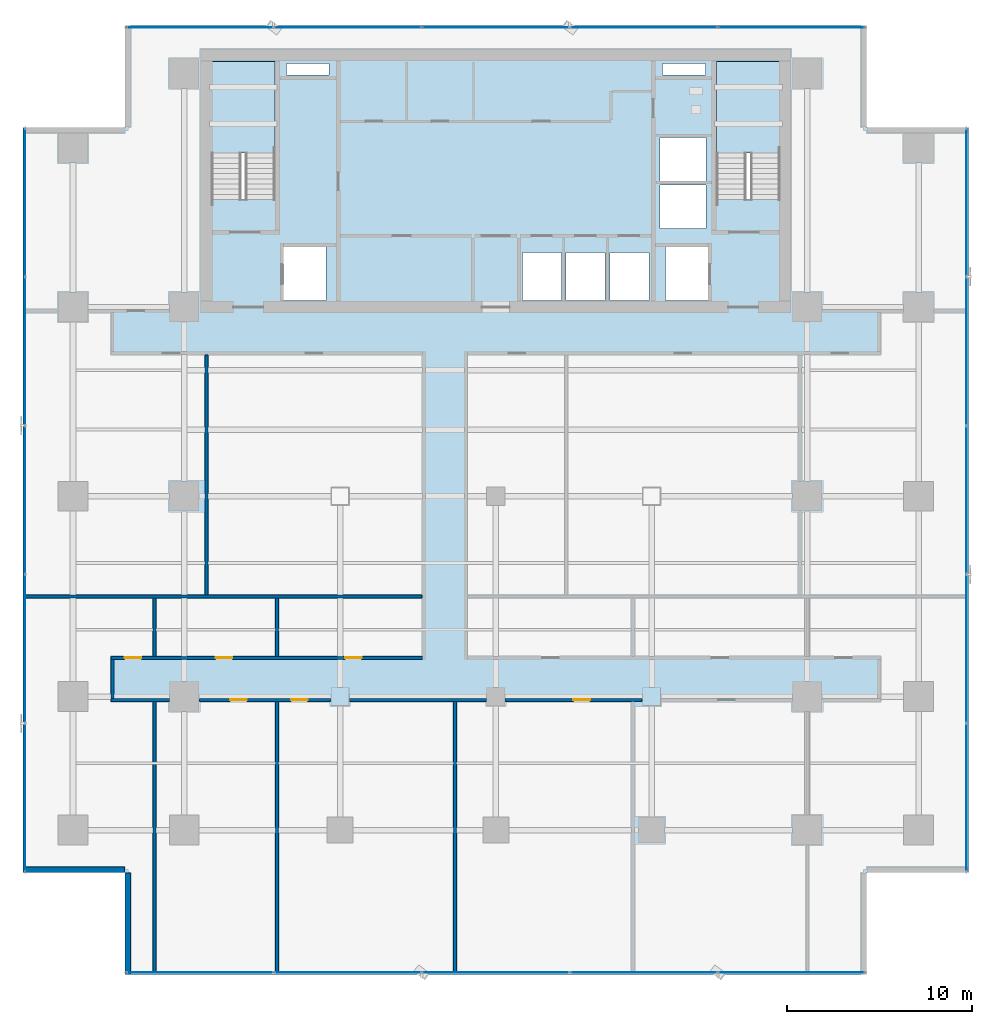
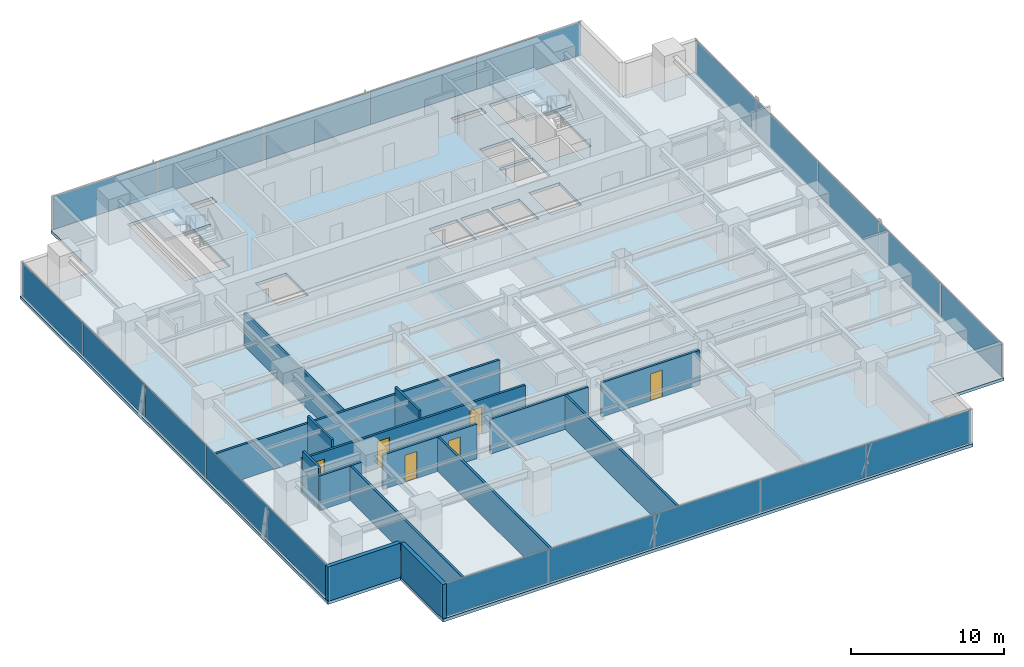
# One storey, part 25 of 35: 20 plates, 15 walls, 6 doors, 3 slabs, 6 openings, 6 elements without a shape of their own.
"""IFC4 building model written with IfcOpenShell, lengths in metres."""

from ifc_helpers import new_model, si_unit, direction, frame, frame_2d, origin, origin_2d, place, context, subcontext, project, spatial, polyline, rectangle, outline, extrude, source, transform, mapped, material, layer, layer_set, type_object, element, fill, aggregate, save


model = new_model("IFC4")

# Units and contexts
model_context = context("Model", 3, precision=1e-05, world=origin(), true_north=direction((0.0, 1.0)))
body_context = subcontext(model_context, "Body", "Model", "MODEL_VIEW")
ifc_project = project(units=[si_unit("LENGTHUNIT", "METRE"), si_unit("AREAUNIT", "SQUARE_METRE"), si_unit("VOLUMEUNIT", "CUBIC_METRE"), si_unit("PLANEANGLEUNIT", "RADIAN"), si_unit("MASSUNIT", "GRAM", prefix="KILO")], contexts=[model_context])

# Site, building, storey
site_placement = place(None, origin())
site = spatial("IfcSite", under=ifc_project, at=site_placement, CompositionType="ELEMENT")
building_placement = place(site_placement, origin())
building = spatial("IfcBuilding", under=site, at=building_placement, Name="Sumidabori Civic Tower", CompositionType="ELEMENT")
storey_placement = place(building_placement, frame((0.0, 0.0, 102.800048828125)))
storey = spatial("IfcBuildingStorey", under=building, at=storey_placement, Name="L26", CompositionType="ELEMENT", Elevation=102.800048828125)

# Stair, slab
ifc_material_1 = material(Name="Concrete C40/50", Category="concrete")
stair_type = type_object("IfcStairType", Name="ST-CORE-1600", PredefinedType="HALF_TURN_STAIR", material=ifc_material_1)
stair_1_placement = place(storey_placement, origin())
stair_1 = element("IfcStair", 1, at=stair_1_placement, inside=storey, type_object=stair_type, Name="L26 ST-1", PredefinedType="HALF_TURN_STAIR")
ifc_layer_1 = layer(ifc_material_1, 0.199951171875, Name="Concrete C40/50")
ifc_layer_set_1 = layer_set([ifc_layer_1], Name="Concrete C40/50")
slab_type_1 = type_object("IfcSlabType", Name="SL-LAND-200", PredefinedType="LANDING", material=ifc_layer_set_1)
slab_1_placement = place(storey_placement, frame((0.0, 0.0, 1.599853515625)))
slab_1 = element("IfcSlab", 2, at=slab_1_placement, type_object=slab_type_1, Name="ST-1 landing 1", PredefinedType="LANDING", context=body_context, shape_type="SweptSolid", body=[
    extrude(outline(polyline([(-11.89990234375, 18.52001953125), (-11.89990234375, 23.449951171875), (-15.340087890625, 23.449951171875), (-15.340087890625, 18.52001953125), (-11.89990234375, 18.52001953125)])), origin(), (0.0, 0.0, 1.0), 0.2001953125),
])
aggregate(stair_1, [slab_1])

stair_2_placement = place(storey_placement, origin())
stair_2 = element("IfcStair", 3, at=stair_2_placement, inside=storey, type_object=stair_type, Name="L26 ST-2", PredefinedType="HALF_TURN_STAIR")
slab_2_placement = place(storey_placement, frame((0.0, 0.0, 1.599853515625)))
slab_2 = element("IfcSlab", 4, at=slab_2_placement, type_object=slab_type_1, Name="ST-2 landing 1", PredefinedType="LANDING", context=body_context, shape_type="SweptSolid", body=[
    extrude(outline(polyline([(15.340087890625, 18.52001953125), (15.340087890625, 23.449951171875), (11.89990234375, 23.449951171875), (11.89990234375, 18.52001953125), (15.340087890625, 18.52001953125)])), origin(), (0.0, 0.0, 1.0), 0.2001953125),
])
aggregate(stair_2, [slab_2])

# Slab
ifc_layer_2 = layer(ifc_material_1, 0.239990234375, Name="Concrete C40/50")
ifc_layer_set_2 = layer_set([ifc_layer_2], Name="Concrete C40/50")
slab_type_2 = type_object("IfcSlabType", Name="SL-Z1-240", PredefinedType="FLOOR", material=ifc_layer_set_2)
slab_3_placement = place(storey_placement, frame((0.0, 0.0, -0.239990234375)))
element("IfcSlab", 5, at=slab_3_placement, inside=storey, type_object=slab_type_2, Name="Structural Slab L26", PredefinedType="FLOOR", context=body_context, shape_type="SweptSolid", body=[
    extrude(outline(polyline([(-20.0, -25.800048828125), (20.0, -25.800048828125), (20.0, -20.300048828125), (25.5, -20.300048828125), (25.5, 19.89990234375), (20.0, 19.89990234375), (20.0, 25.39990234375), (-20.0, 25.39990234375), (-20.0, 19.89990234375), (-25.5, 19.89990234375), (-25.5, -20.300048828125), (-20.0, -20.300048828125), (-20.0, -25.800048828125)]), holes=[polyline([(-11.89990234375, 16.0), (-11.89990234375, 23.449951171875), (-15.340087890625, 23.449951171875), (-15.340087890625, 16.0), (-11.89990234375, 16.0)]), polyline([(15.340087890625, 16.0), (15.340087890625, 23.449951171875), (11.89990234375, 23.449951171875), (11.89990234375, 16.0), (15.340087890625, 16.0)]), polyline([(-11.449951171875, 10.550048828125), (-9.14990234375, 10.550048828125), (-9.14990234375, 13.449951171875), (-11.449951171875, 13.449951171875), (-11.449951171875, 10.550048828125)]), polyline([(9.14990234375, 10.550048828125), (11.449951171875, 10.550048828125), (11.449951171875, 13.449951171875), (9.14990234375, 13.449951171875), (9.14990234375, 10.550048828125)]), polyline([(1.449951171875, 10.550048828125), (3.550048828125, 10.550048828125), (3.550048828125, 13.14990234375), (1.449951171875, 13.14990234375), (1.449951171875, 10.550048828125)]), polyline([(3.800048828125, 10.550048828125), (5.89990234375, 10.550048828125), (5.89990234375, 13.14990234375), (3.800048828125, 13.14990234375), (3.800048828125, 10.550048828125)]), polyline([(6.14990234375, 10.550048828125), (8.25, 10.550048828125), (8.25, 13.14990234375), (6.14990234375, 13.14990234375), (6.14990234375, 10.550048828125)]), polyline([(8.85009765625, 14.449951171875), (11.35009765625, 14.449951171875), (11.35009765625, 16.800048828125), (8.85009765625, 16.800048828125), (8.85009765625, 14.449951171875)]), polyline([(8.85009765625, 17.0), (11.35009765625, 17.0), (11.35009765625, 19.35009765625), (8.85009765625, 19.35009765625), (8.85009765625, 17.0)]), polyline([(-11.300048828125, 22.719970703125), (-9.0, 22.719970703125), (-9.0, 23.35009765625), (-11.300048828125, 23.35009765625), (-11.300048828125, 22.719970703125)]), polyline([(9.0, 22.719970703125), (11.300048828125, 22.719970703125), (11.300048828125, 23.35009765625), (9.0, 23.35009765625), (9.0, 22.719970703125)])]), origin(), (0.0, 0.0, 1.0), 0.239990234375),
])

# Curtain wall, plates
ifc_material_2 = material(Name="Anodised Bronze Aluminium AW-6063-T6", Category="aluminium")
ifc_layer_3 = layer(ifc_material_2, 0.179931640625, Name="Anodised Bronze Aluminium AW-6063-T6")
ifc_layer_set_3 = layer_set([ifc_layer_3], Name="Anodised Bronze Aluminium AW-6063-T6")
curtain_wall_type = type_object("IfcCurtainWallType", Name="CW-SYS-3", PredefinedType="NOTDEFINED", material=ifc_layer_set_3)
curtain_wall_1_placement = place(storey_placement, origin())
curtain_wall_1 = element("IfcCurtainWall", 6, at=curtain_wall_1_placement, inside=storey, type_object=curtain_wall_type, Name="Curtain Wall CW:L26:R01", PredefinedType="NOTDEFINED")
ifc_material_3 = material(Name="Low-E Solar-Control Vision Glazing", Category="glass")
ifc_layer_4 = layer(ifc_material_3, 0.028076171875, Name="Low-E Solar-Control Vision Glazing")
ifc_layer_set_4 = layer_set([ifc_layer_4], Name="Low-E Solar-Control Vision Glazing")
plate_type = type_object("IfcPlateType", Name="CW-PNL-28", PredefinedType="CURTAIN_PANEL", material=ifc_layer_set_4)
shared_shape_1 = source(origin(), body_context, "Body", "SweptSolid", [
    extrude(rectangle(XDim=7.890380859375, YDim=0.028076171875, at=origin_2d()), origin(), (0.0, 0.0, 1.0), 2.6201171875),
])
plate_1_placement = place(storey_placement, frame((-15.959716796875, -25.679931640625, 0.059814453125), z_axis=(0.0, 0.0, 1.0), x_axis=(1.0, 0.0, 0.0)))
plate_1 = element("IfcPlate", 7, at=plate_1_placement, type_object=plate_type, Name="CW-3 panel 1.1", PredefinedType="CURTAIN_PANEL", context=body_context, shape_type="MappedRepresentation", body=[
    mapped(shared_shape_1, transform((0.0, 0.0, 0.0), x_axis=(1.0, 0.0, 0.0), y_axis=(0.0, 1.0, 0.0), z_axis=(0.0, 0.0, 1.0), scale=1.0)),
])
plate_2_placement = place(storey_placement, frame((15.959716796875, -25.679931640625, 0.059814453125), z_axis=(0.0, 0.0, 1.0), x_axis=(1.0, 0.0, 0.0)))
plate_2 = element("IfcPlate", 8, at=plate_2_placement, type_object=plate_type, Name="CW-3 panel 5.1", PredefinedType="CURTAIN_PANEL", context=body_context, shape_type="MappedRepresentation", body=[
    mapped(shared_shape_1, transform((0.0, 0.0, 0.0), x_axis=(1.0, 0.0, 0.0), y_axis=(0.0, 1.0, 0.0), z_axis=(0.0, 0.0, 1.0), scale=1.0)),
])

curtain_wall_2_placement = place(storey_placement, origin())
curtain_wall_2 = element("IfcCurtainWall", 9, at=curtain_wall_2_placement, inside=storey, type_object=curtain_wall_type, Name="Curtain Wall CW:L26:R07", PredefinedType="NOTDEFINED")
plate_3_placement = place(storey_placement, frame((15.959716796875, 25.280029296875, 0.059814453125), z_axis=(0.0, 0.0, 1.0), x_axis=(-1.0, 0.0, 0.0)))
plate_3 = element("IfcPlate", 10, at=plate_3_placement, type_object=plate_type, Name="CW-3 panel 1.1", PredefinedType="CURTAIN_PANEL", context=body_context, shape_type="MappedRepresentation", body=[
    mapped(shared_shape_1, transform((0.0, 0.0, 0.0), x_axis=(1.0, 0.0, 0.0), y_axis=(0.0, 1.0, 0.0), z_axis=(0.0, 0.0, 1.0), scale=1.0)),
])
plate_4_placement = place(storey_placement, frame((-15.959716796875, 25.280029296875, 0.059814453125), z_axis=(0.0, 0.0, 1.0), x_axis=(-1.0, 0.0, 0.0)))
plate_4 = element("IfcPlate", 11, at=plate_4_placement, type_object=plate_type, Name="CW-3 panel 5.1", PredefinedType="CURTAIN_PANEL", context=body_context, shape_type="MappedRepresentation", body=[
    mapped(shared_shape_1, transform((0.0, 0.0, 0.0), x_axis=(1.0, 0.0, 0.0), y_axis=(0.0, 1.0, 0.0), z_axis=(0.0, 0.0, 1.0), scale=1.0)),
])

# Plate
shared_shape_2 = source(origin(), body_context, "Body", "SweptSolid", [
    extrude(rectangle(XDim=7.923095703125, YDim=0.028076171875, at=origin_2d()), origin(), (0.0, 0.0, 1.0), 2.6201171875),
])
plate_5_placement = place(storey_placement, frame((-7.988037109375, -25.679931640625, 0.059814453125), z_axis=(0.0, 0.0, 1.0), x_axis=(1.0, 0.0, 0.0)))
plate_5 = element("IfcPlate", 12, at=plate_5_placement, type_object=plate_type, Name="CW-3 panel 2.1", PredefinedType="CURTAIN_PANEL", context=body_context, shape_type="MappedRepresentation", body=[
    mapped(shared_shape_2, transform((0.0, 0.0, 0.0), x_axis=(1.0, 0.0, 0.0), y_axis=(0.0, 1.0, 0.0), z_axis=(0.0, 0.0, 1.0), scale=1.0)),
])

plate_6_placement = place(storey_placement, frame((0.0, -25.679931640625, 0.059814453125), z_axis=(0.0, 0.0, 1.0), x_axis=(1.0, 0.0, 0.0)))
plate_6 = element("IfcPlate", 13, at=plate_6_placement, type_object=plate_type, Name="CW-3 panel 3.1", PredefinedType="CURTAIN_PANEL", context=body_context, shape_type="MappedRepresentation", body=[
    mapped(shared_shape_2, transform((0.0, 0.0, 0.0), x_axis=(1.0, 0.0, 0.0), y_axis=(0.0, 1.0, 0.0), z_axis=(0.0, 0.0, 1.0), scale=1.0)),
])

plate_7_placement = place(storey_placement, frame((7.988037109375, -25.679931640625, 0.059814453125), z_axis=(0.0, 0.0, 1.0), x_axis=(1.0, 0.0, 0.0)))
plate_7 = element("IfcPlate", 14, at=plate_7_placement, type_object=plate_type, Name="CW-3 panel 4.1", PredefinedType="CURTAIN_PANEL", context=body_context, shape_type="MappedRepresentation", body=[
    mapped(shared_shape_2, transform((0.0, 0.0, 0.0), x_axis=(1.0, 0.0, 0.0), y_axis=(0.0, 1.0, 0.0), z_axis=(0.0, 0.0, 1.0), scale=1.0)),
])

aggregate(curtain_wall_1, [plate_1, plate_5, plate_6, plate_7, plate_2])

plate_8_placement = place(storey_placement, frame((7.988037109375, 25.280029296875, 0.059814453125), z_axis=(0.0, 0.0, 1.0), x_axis=(-1.0, 0.0, 0.0)))
plate_8 = element("IfcPlate", 15, at=plate_8_placement, type_object=plate_type, Name="CW-3 panel 2.1", PredefinedType="CURTAIN_PANEL", context=body_context, shape_type="MappedRepresentation", body=[
    mapped(shared_shape_2, transform((0.0, 0.0, 0.0), x_axis=(1.0, 0.0, 0.0), y_axis=(0.0, 1.0, 0.0), z_axis=(0.0, 0.0, 1.0), scale=1.0)),
])

plate_9_placement = place(storey_placement, frame((0.0, 25.280029296875, 0.059814453125), z_axis=(0.0, 0.0, 1.0), x_axis=(-1.0, 0.0, 0.0)))
plate_9 = element("IfcPlate", 16, at=plate_9_placement, type_object=plate_type, Name="CW-3 panel 3.1", PredefinedType="CURTAIN_PANEL", context=body_context, shape_type="MappedRepresentation", body=[
    mapped(shared_shape_2, transform((0.0, 0.0, 0.0), x_axis=(1.0, 0.0, 0.0), y_axis=(0.0, 1.0, 0.0), z_axis=(0.0, 0.0, 1.0), scale=1.0)),
])

plate_10_placement = place(storey_placement, frame((-7.988037109375, 25.280029296875, 0.059814453125), z_axis=(0.0, 0.0, 1.0), x_axis=(-1.0, 0.0, 0.0)))
plate_10 = element("IfcPlate", 17, at=plate_10_placement, type_object=plate_type, Name="CW-3 panel 4.1", PredefinedType="CURTAIN_PANEL", context=body_context, shape_type="MappedRepresentation", body=[
    mapped(shared_shape_2, transform((0.0, 0.0, 0.0), x_axis=(1.0, 0.0, 0.0), y_axis=(0.0, 1.0, 0.0), z_axis=(0.0, 0.0, 1.0), scale=1.0)),
])

aggregate(curtain_wall_2, [plate_3, plate_8, plate_9, plate_10, plate_4])

# Curtain wall, plates
curtain_wall_3_placement = place(storey_placement, origin())
curtain_wall_3 = element("IfcCurtainWall", 18, at=curtain_wall_3_placement, inside=storey, type_object=curtain_wall_type, Name="Curtain Wall CW:L26:R04", PredefinedType="NOTDEFINED")
shared_shape_3 = source(origin(), body_context, "Body", "SweptSolid", [
    extrude(rectangle(XDim=7.930419921875, YDim=0.028076171875, at=origin_2d()), origin(), (0.0, 0.0, 1.0), 2.6201171875),
])
plate_11_placement = place(storey_placement, frame((25.3798828125, -16.23974609375, 0.059814453125), z_axis=(0.0, 0.0, 1.0), x_axis=(0.0, 1.0, 0.0)))
plate_11 = element("IfcPlate", 19, at=plate_11_placement, type_object=plate_type, Name="CW-3 panel 1.1", PredefinedType="CURTAIN_PANEL", context=body_context, shape_type="MappedRepresentation", body=[
    mapped(shared_shape_3, transform((0.0, 0.0, 0.0), x_axis=(1.0, 0.0, 0.0), y_axis=(0.0, 1.0, 0.0), z_axis=(0.0, 0.0, 1.0), scale=1.0)),
])
plate_12_placement = place(storey_placement, frame((25.3798828125, 15.83984375, 0.059814453125), z_axis=(0.0, 0.0, 1.0), x_axis=(0.0, 1.0, 0.0)))
plate_12 = element("IfcPlate", 20, at=plate_12_placement, type_object=plate_type, Name="CW-3 panel 5.1", PredefinedType="CURTAIN_PANEL", context=body_context, shape_type="MappedRepresentation", body=[
    mapped(shared_shape_3, transform((0.0, 0.0, 0.0), x_axis=(1.0, 0.0, 0.0), y_axis=(0.0, 1.0, 0.0), z_axis=(0.0, 0.0, 1.0), scale=1.0)),
])

curtain_wall_4_placement = place(storey_placement, origin())
curtain_wall_4 = element("IfcCurtainWall", 21, at=curtain_wall_4_placement, inside=storey, type_object=curtain_wall_type, Name="Curtain Wall CW:L26:R10", PredefinedType="NOTDEFINED")
plate_13_placement = place(storey_placement, frame((-25.3798828125, 15.83984375, 0.059814453125), z_axis=(0.0, 0.0, 1.0), x_axis=(0.0, -1.0, 0.0)))
plate_13 = element("IfcPlate", 22, at=plate_13_placement, type_object=plate_type, Name="CW-3 panel 1.1", PredefinedType="CURTAIN_PANEL", context=body_context, shape_type="MappedRepresentation", body=[
    mapped(shared_shape_3, transform((0.0, 0.0, 0.0), x_axis=(1.0, 0.0, 0.0), y_axis=(0.0, 1.0, 0.0), z_axis=(0.0, 0.0, 1.0), scale=1.0)),
])
plate_14_placement = place(storey_placement, frame((-25.3798828125, -16.23974609375, 0.059814453125), z_axis=(0.0, 0.0, 1.0), x_axis=(0.0, -1.0, 0.0)))
plate_14 = element("IfcPlate", 23, at=plate_14_placement, type_object=plate_type, Name="CW-3 panel 5.1", PredefinedType="CURTAIN_PANEL", context=body_context, shape_type="MappedRepresentation", body=[
    mapped(shared_shape_3, transform((0.0, 0.0, 0.0), x_axis=(1.0, 0.0, 0.0), y_axis=(0.0, 1.0, 0.0), z_axis=(0.0, 0.0, 1.0), scale=1.0)),
])

# Plate
shared_shape_4 = source(origin(), body_context, "Body", "SweptSolid", [
    extrude(rectangle(XDim=7.962890625, YDim=0.028076171875, at=origin_2d()), origin(), (0.0, 0.0, 1.0), 2.6201171875),
])
plate_15_placement = place(storey_placement, frame((25.3798828125, -8.22802734375, 0.059814453125), z_axis=(0.0, 0.0, 1.0), x_axis=(0.0, 1.0, 0.0)))
plate_15 = element("IfcPlate", 24, at=plate_15_placement, type_object=plate_type, Name="CW-3 panel 2.1", PredefinedType="CURTAIN_PANEL", context=body_context, shape_type="MappedRepresentation", body=[
    mapped(shared_shape_4, transform((0.0, 0.0, 0.0), x_axis=(1.0, 0.0, 0.0), y_axis=(0.0, 1.0, 0.0), z_axis=(0.0, 0.0, 1.0), scale=1.0)),
])

plate_16_placement = place(storey_placement, frame((25.3798828125, -0.199951171875, 0.059814453125), z_axis=(0.0, 0.0, 1.0), x_axis=(0.0, 1.0, 0.0)))
plate_16 = element("IfcPlate", 25, at=plate_16_placement, type_object=plate_type, Name="CW-3 panel 3.1", PredefinedType="CURTAIN_PANEL", context=body_context, shape_type="MappedRepresentation", body=[
    mapped(shared_shape_4, transform((0.0, 0.0, 0.0), x_axis=(1.0, 0.0, 0.0), y_axis=(0.0, 1.0, 0.0), z_axis=(0.0, 0.0, 1.0), scale=1.0)),
])

plate_17_placement = place(storey_placement, frame((25.3798828125, 7.827880859375, 0.059814453125), z_axis=(0.0, 0.0, 1.0), x_axis=(0.0, 1.0, 0.0)))
plate_17 = element("IfcPlate", 26, at=plate_17_placement, type_object=plate_type, Name="CW-3 panel 4.1", PredefinedType="CURTAIN_PANEL", context=body_context, shape_type="MappedRepresentation", body=[
    mapped(shared_shape_4, transform((0.0, 0.0, 0.0), x_axis=(1.0, 0.0, 0.0), y_axis=(0.0, 1.0, 0.0), z_axis=(0.0, 0.0, 1.0), scale=1.0)),
])

aggregate(curtain_wall_3, [plate_11, plate_15, plate_16, plate_17, plate_12])

plate_18_placement = place(storey_placement, frame((-25.3798828125, 7.827880859375, 0.059814453125), z_axis=(0.0, 0.0, 1.0), x_axis=(0.0, -1.0, 0.0)))
plate_18 = element("IfcPlate", 27, at=plate_18_placement, type_object=plate_type, Name="CW-3 panel 2.1", PredefinedType="CURTAIN_PANEL", context=body_context, shape_type="MappedRepresentation", body=[
    mapped(shared_shape_4, transform((0.0, 0.0, 0.0), x_axis=(1.0, 0.0, 0.0), y_axis=(0.0, 1.0, 0.0), z_axis=(0.0, 0.0, 1.0), scale=1.0)),
])

plate_19_placement = place(storey_placement, frame((-25.3798828125, -0.199951171875, 0.059814453125), z_axis=(0.0, 0.0, 1.0), x_axis=(0.0, -1.0, 0.0)))
plate_19 = element("IfcPlate", 28, at=plate_19_placement, type_object=plate_type, Name="CW-3 panel 3.1", PredefinedType="CURTAIN_PANEL", context=body_context, shape_type="MappedRepresentation", body=[
    mapped(shared_shape_4, transform((0.0, 0.0, 0.0), x_axis=(1.0, 0.0, 0.0), y_axis=(0.0, 1.0, 0.0), z_axis=(0.0, 0.0, 1.0), scale=1.0)),
])

plate_20_placement = place(storey_placement, frame((-25.3798828125, -8.22802734375, 0.059814453125), z_axis=(0.0, 0.0, 1.0), x_axis=(0.0, -1.0, 0.0)))
plate_20 = element("IfcPlate", 29, at=plate_20_placement, type_object=plate_type, Name="CW-3 panel 4.1", PredefinedType="CURTAIN_PANEL", context=body_context, shape_type="MappedRepresentation", body=[
    mapped(shared_shape_4, transform((0.0, 0.0, 0.0), x_axis=(1.0, 0.0, 0.0), y_axis=(0.0, 1.0, 0.0), z_axis=(0.0, 0.0, 1.0), scale=1.0)),
])

aggregate(curtain_wall_4, [plate_13, plate_18, plate_19, plate_20, plate_14])

# Walls
ifc_material_4 = material(Name="Precast concrete C40/50", Category="concrete")
ifc_layer_5 = layer(ifc_material_4, 0.300048828125, Name="Precast concrete C40/50")
ifc_layer_set_5 = layer_set([ifc_layer_5], Name="Precast concrete C40/50")
wall_type_1 = type_object("IfcWallType", Name="WL-EXT-POD300", PredefinedType="STANDARD", material=ifc_layer_set_5)
shared_shape_5 = source(origin(), body_context, "Body", "SweptSolid", [
    extrude(rectangle(XDim=5.4599609375, YDim=0.300048828125, at=frame_2d((2.72998046875, 0.0))), origin(), (0.0, 0.0, 1.0), 2.739990234375),
])
for number, where, z_axis, x_axis, name in (
    (30, (-25.47998046875, -20.14990234375, 0.0), (0.0, 0.0, 1.0), (1.0, 0.0, 0.0), "Notched Corner Spandrel Band L26-11"),
    (31, (-19.85009765625, -20.320068359375, 0.0), (0.0, 0.0, 1.0), (0.0, -1.0, 0.0), "Notched Corner Spandrel Band L26-12"),
):
    element("IfcWall", number, at=place(storey_placement, frame(where, z_axis=z_axis, x_axis=x_axis)), inside=storey, type_object=wall_type_1, Name=name, PredefinedType="STANDARD", context=body_context, shape_type="MappedRepresentation", body=[
        mapped(shared_shape_5, transform((0.0, 0.0, 0.0), x_axis=(1.0, 0.0, 0.0), y_axis=(0.0, 1.0, 0.0), z_axis=(0.0, 0.0, 1.0), scale=1.0)),
    ])

# Wall, openings, doors
ifc_material_5 = material(Name="Gypsum Plasterboard Acoustic Partition")
ifc_layer_6 = layer(ifc_material_5, 0.1650390625, Name="Gypsum Plasterboard Acoustic Partition")
ifc_layer_set_6 = layer_set([ifc_layer_6], Name="Gypsum Plasterboard Acoustic Partition")
wall_type_2 = type_object("IfcWallType", Name="WL-PART-165", PredefinedType="PARTITIONING", material=ifc_layer_set_6)
shared_shape_6 = source(origin(), body_context, "Body", "SweptSolid", [
    extrude(rectangle(XDim=16.7998046875, YDim=0.1650390625, at=frame_2d((8.39990234375, 0.0))), origin(), (0.0, 0.0, 1.0), 2.744873046875),
])
wall_1_placement = place(storey_placement, frame((-20.764892578125, -8.717529296875, 0.0), z_axis=(0.0, 0.0, 1.0), x_axis=(1.0, 0.0, 0.0)))
wall_1 = element("IfcWall", 32, at=wall_1_placement, inside=storey, type_object=wall_type_2, Name="Interior Partition WL:L26:CORR-MNW", PredefinedType="PARTITIONING", context=body_context, shape_type="MappedRepresentation", body=[
    mapped(shared_shape_6, transform((0.0, 0.0, 0.0), x_axis=(1.0, 0.0, 0.0), y_axis=(0.0, 1.0, 0.0), z_axis=(0.0, 0.0, 1.0), scale=1.0)),
])
opening_1_placement = place(wall_1_placement, frame((5.655029296875, 0.0, 0.0)))
opening_1 = element("IfcOpeningElement", 33, at=opening_1_placement, cuts=wall_1, Name="Opening DR-1", PredefinedType="OPENING", context=body_context, shape_type="SweptSolid", body=[
    extrude(rectangle(XDim=0.89990234375, YDim=2.14990234375, at=frame_2d((0.449951171875, 1.074951171875))), frame((0.0, 0.094482421875, 0.0), z_axis=(0.0, -1.0, 0.0), x_axis=(1.0, 0.0, 0.0)), (0.0, 0.0, 1.0), 0.18896484375),
])
opening_2_placement = place(wall_1_placement, frame((12.6337890625, 0.0, 0.0)))
opening_2 = element("IfcOpeningElement", 34, at=opening_2_placement, cuts=wall_1, Name="Opening DR-1", PredefinedType="OPENING", context=body_context, shape_type="SweptSolid", body=[
    extrude(rectangle(XDim=0.89990234375, YDim=2.14990234375, at=frame_2d((0.449951171875, 1.074951171875))), frame((0.0, 0.094482421875, 0.0), z_axis=(0.0, -1.0, 0.0), x_axis=(1.0, 0.0, 0.0)), (0.0, 0.0, 1.0), 0.18896484375),
])
opening_3_placement = place(wall_1_placement, frame((0.75390625, 0.0, 0.0)))
opening_3 = element("IfcOpeningElement", 35, at=opening_3_placement, cuts=wall_1, Name="Opening DR-1", PredefinedType="OPENING", context=body_context, shape_type="SweptSolid", body=[
    extrude(rectangle(XDim=0.89990234375, YDim=2.14990234375, at=frame_2d((0.449951171875, 1.074951171875))), frame((0.0, 0.094482421875, 0.0), z_axis=(0.0, -1.0, 0.0), x_axis=(1.0, 0.0, 0.0)), (0.0, 0.0, 1.0), 0.18896484375),
])
ifc_material_6 = material(Name="Japanese Hinoki Timber", Category="wood")
door_type = type_object("IfcDoorType", Name="DR-INT-900", OperationType="NOTDEFINED", PredefinedType="DOOR", material=ifc_material_6)
shared_shape_7 = source(origin(), body_context, "Body", "SweptSolid", [
    extrude(rectangle(XDim=0.89990234375, YDim=2.14990234375, at=frame_2d((0.449951171875, 1.074951171875))), frame((0.0, 0.02490234375, 0.0), z_axis=(0.0, -1.0, 0.0), x_axis=(1.0, 0.0, 0.0)), (0.0, 0.0, 1.0), 0.050048828125),
])
door_1_placement = place(opening_1_placement, origin())
door_1 = element("IfcDoor", 36, at=door_1_placement, inside=storey, type_object=door_type, Name="Door DR:L26:D07", OperationType="SINGLE_SWING_LEFT", OverallHeight=2.14990234375, OverallWidth=0.89990234375, PredefinedType="DOOR", context=body_context, shape_type="MappedRepresentation", body=[
    mapped(shared_shape_7, transform((0.0, 0.0, 0.0), x_axis=(1.0, 0.0, 0.0), y_axis=(0.0, 1.0, 0.0), z_axis=(0.0, 0.0, 1.0), scale=1.0)),
])
fill(opening_1, door_1)
door_2_placement = place(opening_2_placement, origin())
door_2 = element("IfcDoor", 37, at=door_2_placement, inside=storey, type_object=door_type, Name="Door DR:L26:D08", OperationType="SINGLE_SWING_RIGHT", OverallHeight=2.14990234375, OverallWidth=0.89990234375, PredefinedType="DOOR", context=body_context, shape_type="MappedRepresentation", body=[
    mapped(shared_shape_7, transform((0.0, 0.0, 0.0), x_axis=(1.0, 0.0, 0.0), y_axis=(0.0, 1.0, 0.0), z_axis=(0.0, 0.0, 1.0), scale=1.0)),
])
fill(opening_2, door_2)
door_3_placement = place(opening_3_placement, origin())
door_3 = element("IfcDoor", 38, at=door_3_placement, inside=storey, type_object=door_type, Name="Door DR:L26:D11", OperationType="SINGLE_SWING_LEFT", OverallHeight=2.14990234375, OverallWidth=0.89990234375, PredefinedType="DOOR", context=body_context, shape_type="MappedRepresentation", body=[
    mapped(shared_shape_7, transform((0.0, 0.0, 0.0), x_axis=(1.0, 0.0, 0.0), y_axis=(0.0, 1.0, 0.0), z_axis=(0.0, 0.0, 1.0), scale=1.0)),
])
fill(opening_3, door_3)

# Wall
shared_shape_8 = source(origin(), body_context, "Body", "SweptSolid", [
    extrude(rectangle(XDim=3.15478515625, YDim=0.1650390625, at=frame_2d((1.577392578125, 0.0))), origin(), (0.0, 0.0, 1.0), 2.744873046875),
])
wall_2_placement = place(storey_placement, frame((-20.764892578125, -10.982421875, 0.0), z_axis=(0.0, 0.0, 1.0), x_axis=(1.0, 0.0, 0.0)))
element("IfcWall", 39, at=wall_2_placement, inside=storey, type_object=wall_type_2, Name="Interior Partition WL:L26:CORR-SS-1", PredefinedType="PARTITIONING", context=body_context, shape_type="MappedRepresentation", body=[
    mapped(shared_shape_8, transform((0.0, 0.0, 0.0), x_axis=(1.0, 0.0, 0.0), y_axis=(0.0, 1.0, 0.0), z_axis=(0.0, 0.0, 1.0), scale=1.0)),
])

# Wall, openings, doors
shared_shape_9 = source(origin(), body_context, "Body", "SweptSolid", [
    extrude(rectangle(XDim=7.080078125, YDim=0.1650390625, at=frame_2d((3.5400390625, 0.0))), origin(), (0.0, 0.0, 1.0), 2.744873046875),
])
wall_3_placement = place(storey_placement, frame((-15.989990234375, -10.982421875, 0.0), z_axis=(0.0, 0.0, 1.0), x_axis=(1.0, 0.0, 0.0)))
wall_3 = element("IfcWall", 40, at=wall_3_placement, inside=storey, type_object=wall_type_2, Name="Interior Partition WL:L26:CORR-SS-2", PredefinedType="PARTITIONING", context=body_context, shape_type="MappedRepresentation", body=[
    mapped(shared_shape_9, transform((0.0, 0.0, 0.0), x_axis=(1.0, 0.0, 0.0), y_axis=(0.0, 1.0, 0.0), z_axis=(0.0, 0.0, 1.0), scale=1.0)),
])
opening_4_placement = place(wall_3_placement, frame((1.663818359375, 0.0, 0.0)))
opening_4 = element("IfcOpeningElement", 41, at=opening_4_placement, cuts=wall_3, Name="Opening DR-1", PredefinedType="OPENING", context=body_context, shape_type="SweptSolid", body=[
    extrude(rectangle(XDim=0.89990234375, YDim=2.14990234375, at=frame_2d((0.449951171875, 1.074951171875))), frame((0.0, 0.094482421875, 0.0), z_axis=(0.0, -1.0, 0.0), x_axis=(1.0, 0.0, 0.0)), (0.0, 0.0, 1.0), 0.18896484375),
])
opening_5_placement = place(wall_3_placement, frame((4.9462890625, 0.0, 0.0)))
opening_5 = element("IfcOpeningElement", 42, at=opening_5_placement, cuts=wall_3, Name="Opening DR-1", PredefinedType="OPENING", context=body_context, shape_type="SweptSolid", body=[
    extrude(rectangle(XDim=0.89990234375, YDim=2.14990234375, at=frame_2d((0.449951171875, 1.074951171875))), frame((0.0, 0.094482421875, 0.0), z_axis=(0.0, -1.0, 0.0), x_axis=(1.0, 0.0, 0.0)), (0.0, 0.0, 1.0), 0.18896484375),
])
door_4_placement = place(opening_4_placement, origin())
door_4 = element("IfcDoor", 43, at=door_4_placement, inside=storey, type_object=door_type, Name="Door DR:L26:D13", OperationType="SINGLE_SWING_LEFT", OverallHeight=2.14990234375, OverallWidth=0.89990234375, PredefinedType="DOOR", context=body_context, shape_type="MappedRepresentation", body=[
    mapped(shared_shape_7, transform((0.0, 0.0, 0.0), x_axis=(1.0, 0.0, 0.0), y_axis=(0.0, 1.0, 0.0), z_axis=(0.0, 0.0, 1.0), scale=1.0)),
])
fill(opening_4, door_4)
door_5_placement = place(opening_5_placement, origin())
door_5 = element("IfcDoor", 44, at=door_5_placement, inside=storey, type_object=door_type, Name="Door DR:L26:D14", OperationType="SINGLE_SWING_RIGHT", OverallHeight=2.14990234375, OverallWidth=0.89990234375, PredefinedType="DOOR", context=body_context, shape_type="MappedRepresentation", body=[
    mapped(shared_shape_7, transform((0.0, 0.0, 0.0), x_axis=(1.0, 0.0, 0.0), y_axis=(0.0, 1.0, 0.0), z_axis=(0.0, 0.0, 1.0), scale=1.0)),
])
fill(opening_5, door_5)

# Wall
shared_shape_10 = source(origin(), body_context, "Body", "SweptSolid", [
    extrude(rectangle(XDim=7.3798828125, YDim=0.1650390625, at=frame_2d((3.68994140625, 0.0))), origin(), (0.0, 0.0, 1.0), 2.744873046875),
])
wall_4_placement = place(storey_placement, frame((-7.889892578125, -10.982421875, 0.0), z_axis=(0.0, 0.0, 1.0), x_axis=(1.0, 0.0, 0.0)))
element("IfcWall", 45, at=wall_4_placement, inside=storey, type_object=wall_type_2, Name="Interior Partition WL:L26:CORR-SS-3", PredefinedType="PARTITIONING", context=body_context, shape_type="MappedRepresentation", body=[
    mapped(shared_shape_10, transform((0.0, 0.0, 0.0), x_axis=(1.0, 0.0, 0.0), y_axis=(0.0, 1.0, 0.0), z_axis=(0.0, 0.0, 1.0), scale=1.0)),
])

# Wall, opening, door
wall_5_placement = place(storey_placement, frame((0.510009765625, -10.982421875, 0.0), z_axis=(0.0, 0.0, 1.0), x_axis=(1.0, 0.0, 0.0)))
wall_5 = element("IfcWall", 46, at=wall_5_placement, inside=storey, type_object=wall_type_2, Name="Interior Partition WL:L26:CORR-SS-4", PredefinedType="PARTITIONING", context=body_context, shape_type="MappedRepresentation", body=[
    mapped(shared_shape_10, transform((0.0, 0.0, 0.0), x_axis=(1.0, 0.0, 0.0), y_axis=(0.0, 1.0, 0.0), z_axis=(0.0, 0.0, 1.0), scale=1.0)),
])
opening_6_placement = place(wall_5_placement, frame((3.673828125, 0.0, 0.0)))
opening_6 = element("IfcOpeningElement", 47, at=opening_6_placement, cuts=wall_5, Name="Opening DR-1", PredefinedType="OPENING", context=body_context, shape_type="SweptSolid", body=[
    extrude(rectangle(XDim=0.89990234375, YDim=2.14990234375, at=frame_2d((0.449951171875, 1.074951171875))), frame((0.0, 0.094482421875, 0.0), z_axis=(0.0, -1.0, 0.0), x_axis=(1.0, 0.0, 0.0)), (0.0, 0.0, 1.0), 0.18896484375),
])
door_6_placement = place(opening_6_placement, origin())
door_6 = element("IfcDoor", 48, at=door_6_placement, inside=storey, type_object=door_type, Name="Door DR:L26:D15", OperationType="SINGLE_SWING_LEFT", OverallHeight=2.14990234375, OverallWidth=0.89990234375, PredefinedType="DOOR", context=body_context, shape_type="MappedRepresentation", body=[
    mapped(shared_shape_7, transform((0.0, 0.0, 0.0), x_axis=(1.0, 0.0, 0.0), y_axis=(0.0, 1.0, 0.0), z_axis=(0.0, 0.0, 1.0), scale=1.0)),
])
fill(opening_6, door_6)

# Walls
shared_shape_11 = source(origin(), body_context, "Body", "SweptSolid", [
    extrude(rectangle(XDim=2.090087890625, YDim=0.1650390625, at=frame_2d((1.044921875, 0.0))), origin(), (0.0, 0.0, 1.0), 3.35986328125),
])
wall_6_placement = place(storey_placement, frame((-20.6826171875, -10.89501953125, 0.0), z_axis=(0.0, 0.0, 1.0), x_axis=(0.0, 1.0, 0.0)))
element("IfcWall", 49, at=wall_6_placement, inside=storey, type_object=wall_type_2, Name="Interior Partition WL:L26:CORR-VSW", PredefinedType="PARTITIONING", context=body_context, shape_type="MappedRepresentation", body=[
    mapped(shared_shape_11, transform((0.0, 0.0, 0.0), x_axis=(1.0, 0.0, 0.0), y_axis=(0.0, 1.0, 0.0), z_axis=(0.0, 0.0, 1.0), scale=1.0)),
])
shared_shape_12 = source(origin(), body_context, "Body", "SweptSolid", [
    extrude(rectangle(XDim=21.380126953125, YDim=0.1650390625, at=frame_2d((10.68994140625, 0.0))), origin(), (0.0, 0.0, 1.0), 2.744873046875),
])
wall_7_placement = place(storey_placement, frame((-25.35009765625, -5.39990234375, 0.0), z_axis=(0.0, 0.0, 1.0), x_axis=(1.0, 0.0, 0.0)))
element("IfcWall", 50, at=wall_7_placement, inside=storey, type_object=wall_type_2, Name="Interior Partition WL:L26:BAND-Y-1", PredefinedType="PARTITIONING", context=body_context, shape_type="MappedRepresentation", body=[
    mapped(shared_shape_12, transform((0.0, 0.0, 0.0), x_axis=(1.0, 0.0, 0.0), y_axis=(0.0, 1.0, 0.0), z_axis=(0.0, 0.0, 1.0), scale=1.0)),
])
shared_shape_13 = source(origin(), body_context, "Body", "SweptSolid", [
    extrude(rectangle(XDim=12.9423828125, YDim=0.1650390625, at=frame_2d((6.47119140625, 0.0))), origin(), (0.0, 0.0, 1.0), 2.64501953125),
])
wall_8_placement = place(storey_placement, frame((-15.60009765625, -5.3125, 0.0), z_axis=(0.0, 0.0, 1.0), x_axis=(0.0, 1.0, 0.0)))
element("IfcWall", 51, at=wall_8_placement, inside=storey, type_object=wall_type_2, Name="Interior Partition WL:L26:VX-N1", PredefinedType="PARTITIONING", context=body_context, shape_type="MappedRepresentation", body=[
    mapped(shared_shape_13, transform((0.0, 0.0, 0.0), x_axis=(1.0, 0.0, 0.0), y_axis=(0.0, 1.0, 0.0), z_axis=(0.0, 0.0, 1.0), scale=1.0)),
])
shared_shape_14 = source(origin(), body_context, "Body", "SweptSolid", [
    extrude(rectangle(XDim=14.579833984375, YDim=0.1650390625, at=frame_2d((7.2900390625, 0.0))), origin(), (0.0, 0.0, 1.0), 2.744873046875),
])
for number, where, z_axis, x_axis, name in (
    (52, (-18.39990234375, -25.64990234375, 0.0), (0.0, 0.0, 1.0), (0.0, 1.0, 0.0), "Interior Partition WL:L26:VX-S1-1"),
    (53, (-11.800048828125, -25.64990234375, 0.0), (0.0, 0.0, 1.0), (0.0, 1.0, 0.0), "Interior Partition WL:L26:VX-S2-1"),
    (54, (-2.199951171875, -25.64990234375, 0.0), (0.0, 0.0, 1.0), (0.0, 1.0, 0.0), "Interior Partition WL:L26:VX-S3"),
):
    element("IfcWall", number, at=place(storey_placement, frame(where, z_axis=z_axis, x_axis=x_axis)), inside=storey, type_object=wall_type_2, Name=name, PredefinedType="PARTITIONING", context=body_context, shape_type="MappedRepresentation", body=[
        mapped(shared_shape_14, transform((0.0, 0.0, 0.0), x_axis=(1.0, 0.0, 0.0), y_axis=(0.0, 1.0, 0.0), z_axis=(0.0, 0.0, 1.0), scale=1.0)),
    ])
shared_shape_15 = source(origin(), body_context, "Body", "SweptSolid", [
    extrude(rectangle(XDim=3.142333984375, YDim=0.1650390625, at=frame_2d((1.5712890625, 0.0))), origin(), (0.0, 0.0, 1.0), 3.35986328125),
])
for number, where, z_axis, x_axis, name in (
    (55, (-18.39990234375, -8.6298828125, 0.0), (0.0, 0.0, 1.0), (0.0, 1.0, 0.0), "Interior Partition WL:L26:VX-S1-2"),
    (56, (-11.800048828125, -8.6298828125, 0.0), (0.0, 0.0, 1.0), (0.0, 1.0, 0.0), "Interior Partition WL:L26:VX-S2-2"),
):
    element("IfcWall", number, at=place(storey_placement, frame(where, z_axis=z_axis, x_axis=x_axis)), inside=storey, type_object=wall_type_2, Name=name, PredefinedType="PARTITIONING", context=body_context, shape_type="MappedRepresentation", body=[
        mapped(shared_shape_15, transform((0.0, 0.0, 0.0), x_axis=(1.0, 0.0, 0.0), y_axis=(0.0, 1.0, 0.0), z_axis=(0.0, 0.0, 1.0), scale=1.0)),
    ])

save(model, "model.ifc")
